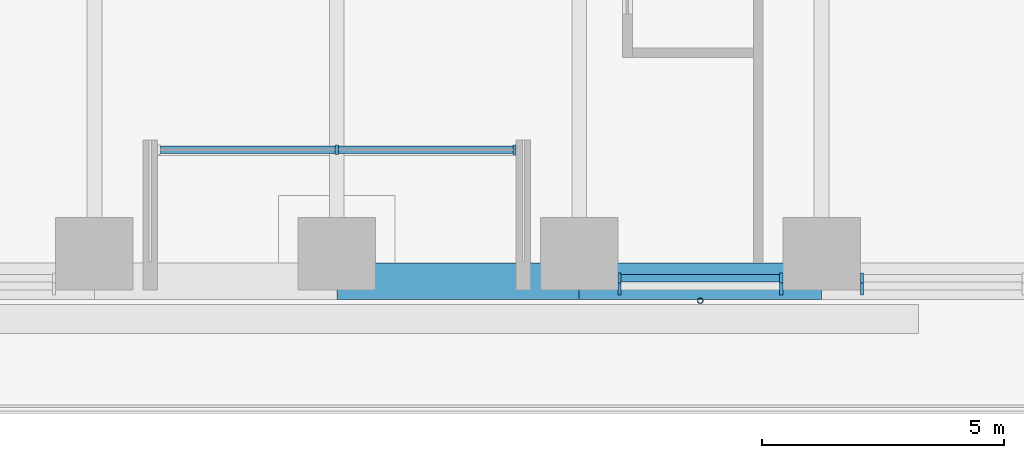
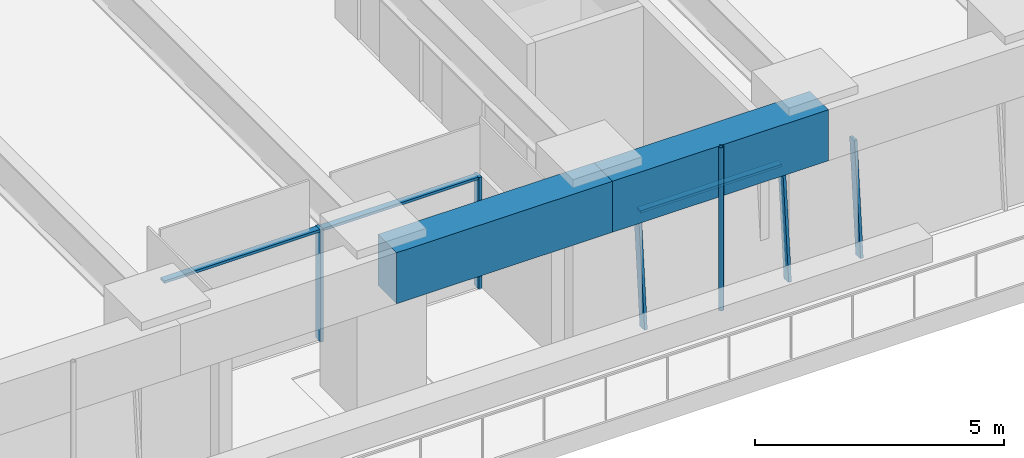
# One storey, part 4 of 24: 8 members, 2 beams, 3 elements without a shape of their own.
"""IFC4 building model written with IfcOpenShell, lengths in metres."""

from ifc_helpers import new_model, si_unit, direction, frame, origin, origin_2d, place, context, subcontext, project, spatial, rectangle, hollow_circle, extrude, material, material_profile, profile_set, type_object, element, aggregate, save


model = new_model("IFC4")

# Units and contexts
model_context = context("Model", 3, precision=1e-05, world=origin(), true_north=direction((0.0, 1.0)))
body_context = subcontext(model_context, "Body", "Model", "MODEL_VIEW")
ifc_project = project(units=[si_unit("LENGTHUNIT", "METRE"), si_unit("AREAUNIT", "SQUARE_METRE"), si_unit("VOLUMEUNIT", "CUBIC_METRE"), si_unit("PLANEANGLEUNIT", "RADIAN"), si_unit("MASSUNIT", "GRAM", prefix="KILO")], contexts=[model_context])

# Site, building, storey
site_placement = place(None, origin())
site = spatial("IfcSite", under=ifc_project, at=site_placement, CompositionType="ELEMENT")
building_placement = place(site_placement, origin())
building = spatial("IfcBuilding", under=site, at=building_placement, Name="Tarfa Lantern Tower", CompositionType="ELEMENT")
storey_placement = place(building_placement, frame((0.0, 0.0, 144.699951171875)))
storey = spatial("IfcBuildingStorey", under=building, at=storey_placement, Name="L32", CompositionType="ELEMENT", Elevation=144.699951171875)

# Curtain wall, members
ifc_material_1 = material(Name="Aluminium framed curtain wall", Category="aluminium")
curtain_wall_type_1 = type_object("IfcCurtainWallType", Name="CW2 CANTED GLAZING MID ZONE 2750", PredefinedType="USERDEFINED", material=ifc_material_1)
curtain_wall_1_placement = place(storey_placement, origin())
curtain_wall_1 = element("IfcCurtainWall", 1, at=curtain_wall_1_placement, inside=storey, type_object=curtain_wall_type_1, Name="CW2 SB L32", ObjectType="CURTAIN WALL", PredefinedType="USERDEFINED")
ifc_material_2 = material(Name="Aluminium mullion", Category="aluminium")
ifc_material_profile_1 = material_profile(ifc_material_2, rectangle(XDim=0.06494140625, YDim=0.199951171875, at=origin_2d()), Name="AL MULLION 65x200")
ifc_profile_set_1 = profile_set([ifc_material_profile_1], Name="Aluminium mullion")
member_type_1 = type_object("IfcMemberType", Name="CWM1 MULLION 65x200", PredefinedType="MULLION", material=ifc_profile_set_1)
member_1_placement = place(storey_placement, frame((5.836181640625, -31.39990234375, 0.0), z_axis=(0.0, 0.090535746043, 0.995893206468), x_axis=(-1.0, 0.0, 0.0)))
member_1 = element("IfcMember", 2, at=member_1_placement, type_object=member_type_1, Name="CW2 mullion 1", PredefinedType="MULLION", context=body_context, shape_type="SweptSolid", body=[
    extrude(rectangle(XDim=0.06494140625, YDim=0.199951171875, at=origin_2d()), origin(), (0.0, 0.0, 1.0), 2.76123046875),
])
member_2_placement = place(storey_placement, frame((9.1748046875, -31.39990234375, 0.0), z_axis=(0.0, 0.090535746043, 0.995893206468), x_axis=(-1.0, 0.0, 0.0)))
member_2 = element("IfcMember", 3, at=member_2_placement, type_object=member_type_1, Name="CW2 mullion 2", PredefinedType="MULLION", context=body_context, shape_type="SweptSolid", body=[
    extrude(rectangle(XDim=0.06494140625, YDim=0.199951171875, at=origin_2d()), origin(), (0.0, 0.0, 1.0), 2.76123046875),
])

# Curtain wall, member
curtain_wall_2_placement = place(storey_placement, origin())
curtain_wall_2 = element("IfcCurtainWall", 4, at=curtain_wall_2_placement, inside=storey, type_object=curtain_wall_type_1, Name="CW2 SB L32", ObjectType="CURTAIN WALL", PredefinedType="USERDEFINED")
member_3_placement = place(storey_placement, frame((10.83984375, -31.39990234375, 0.0), z_axis=(0.0, 0.090535746043, 0.995893206468), x_axis=(-1.0, 0.0, 0.0)))
member_3 = element("IfcMember", 5, at=member_3_placement, type_object=member_type_1, Name="CW2 mullion 1", PredefinedType="MULLION", context=body_context, shape_type="SweptSolid", body=[
    extrude(rectangle(XDim=0.06494140625, YDim=0.199951171875, at=origin_2d()), origin(), (0.0, 0.0, 1.0), 2.76123046875),
])
aggregate(curtain_wall_2, [member_3])

# Curtain wall, members
curtain_wall_type_2 = type_object("IfcCurtainWallType", Name="CW10 LOGGIA GLAZING 2750", PredefinedType="USERDEFINED", material=ifc_material_1)
curtain_wall_3_placement = place(storey_placement, origin())
curtain_wall_3 = element("IfcCurtainWall", 6, at=curtain_wall_3_placement, inside=storey, type_object=curtain_wall_type_2, Name="CW10 SL L32", ObjectType="CURTAIN WALL", PredefinedType="USERDEFINED")
member_4_placement = place(storey_placement, frame((0.0, -28.5, 0.0), z_axis=(0.0, 0.0, 1.0), x_axis=(1.0, 0.0, 0.0)))
member_4 = element("IfcMember", 7, at=member_4_placement, type_object=member_type_1, Name="CW10 mullion 2", PredefinedType="MULLION", context=body_context, shape_type="SweptSolid", body=[
    extrude(rectangle(XDim=0.06494140625, YDim=0.199951171875, at=origin_2d()), origin(), (0.0, 0.0, 1.0), 2.75),
])
member_5_placement = place(storey_placement, frame((3.671142578125, -28.5, 0.0), z_axis=(0.0, 0.0, 1.0), x_axis=(1.0, 0.0, 0.0)))
member_5 = element("IfcMember", 8, at=member_5_placement, type_object=member_type_1, Name="CW10 mullion 3", PredefinedType="MULLION", context=body_context, shape_type="SweptSolid", body=[
    extrude(rectangle(XDim=0.06494140625, YDim=0.199951171875, at=origin_2d()), origin(), (0.0, 0.0, 1.0), 2.75),
])

# Member
ifc_material_3 = material(Name="Aluminium transom", Category="aluminium")
ifc_material_profile_2 = material_profile(ifc_material_3, rectangle(XDim=0.14990234375, YDim=0.06494140625, at=origin_2d()), Name="AL TRANSOM 150x65")
ifc_profile_set_2 = profile_set([ifc_material_profile_2], Name="Aluminium transom")
member_type_2 = type_object("IfcMemberType", Name="CWT1 TRANSOM 150x65", PredefinedType="USERDEFINED", material=ifc_profile_set_2)
member_6_placement = place(storey_placement, frame((5.86865234375, -31.153076171875, 2.717529296875), z_axis=(1.0, 0.0, 0.0), x_axis=(0.0, 1.0, 0.0)))
member_6 = element("IfcMember", 9, at=member_6_placement, type_object=member_type_2, Name="CW2 transom 1.2", ObjectType="TRANSOM", PredefinedType="USERDEFINED", context=body_context, shape_type="SweptSolid", body=[
    extrude(rectangle(XDim=0.14990234375, YDim=0.06494140625, at=origin_2d()), origin(), (0.0, 0.0, 1.0), 3.273681640625),
])

aggregate(curtain_wall_1, [member_1, member_2, member_6])

member_7_placement = place(storey_placement, frame((-3.638671875, -28.5, 2.717529296875), z_axis=(1.0, 0.0, 0.0), x_axis=(0.0, 1.0, 0.0)))
member_7 = element("IfcMember", 10, at=member_7_placement, type_object=member_type_2, Name="CW10 transom 1.2", ObjectType="TRANSOM", PredefinedType="USERDEFINED", context=body_context, shape_type="SweptSolid", body=[
    extrude(rectangle(XDim=0.14990234375, YDim=0.06494140625, at=origin_2d()), origin(), (0.0, 0.0, 1.0), 7.27734375),
])

aggregate(curtain_wall_3, [member_4, member_5, member_7])

# Beams
ifc_material_4 = material(Name="Concrete C80/95", Category="concrete")
ifc_material_profile_3 = material_profile(ifc_material_4, rectangle(XDim=0.75, YDim=1.25, at=origin_2d()), Name="RC 750x1250")
ifc_profile_set_3 = profile_set([ifc_material_profile_3], Name="Concrete C80/95")
beam_type = type_object("IfcBeamType", Name="EB2 RC 750x1250", PredefinedType="SPANDREL", material=ifc_profile_set_3)
for number, where, z_axis, x_axis, name in (
    (11, (0.0, -31.219970703125, 3.375), (1.0, 0.0, 0.0), (0.0, 1.0, 0.0), "Edge beam S3"),
    (12, (5.003662109375, -31.219970703125, 3.375), (1.0, 0.0, 0.0), (0.0, 1.0, 0.0), "Edge beam S4"),
):
    element("IfcBeam", number, at=place(storey_placement, frame(where, z_axis=z_axis, x_axis=x_axis)), inside=storey, type_object=beam_type, Name=name, PredefinedType="SPANDREL", context=body_context, shape_type="SweptSolid", body=[
        extrude(rectangle(XDim=0.75, YDim=1.25, at=origin_2d()), origin(), (0.0, 0.0, 1.0), 5.003662109375),
    ])

# Member
ifc_material_5 = material(Name="Steel S355", Category="steel")
ifc_material_profile_4 = material_profile(ifc_material_5, hollow_circle(Radius=0.05712890625, WallThickness=0.00634765625, at=origin_2d()), Name="CHS114.3x6.3")
ifc_profile_set_4 = profile_set([ifc_material_profile_4], Name="Steel S355")
member_type_3 = type_object("IfcMemberType", Name="TR1 GREEN WALL TRELLIS CHS114.3x6.3", PredefinedType="USERDEFINED", material=ifc_profile_set_4)
member_8_placement = place(storey_placement, frame((7.505615234375, -31.6201171875, 0.0), z_axis=(0.0, 0.0, 1.0), x_axis=(1.0, 0.0, 0.0)))
element("IfcMember", 13, at=member_8_placement, inside=storey, type_object=member_type_3, Name="Trellis post S 2", ObjectType="TRELLIS", PredefinedType="USERDEFINED", context=body_context, shape_type="SweptSolid", body=[
    extrude(hollow_circle(Radius=0.05712890625, WallThickness=0.00634765625, at=origin_2d()), origin(), (0.0, 0.0, 1.0), 4.0),
])

save(model, "model.ifc")
